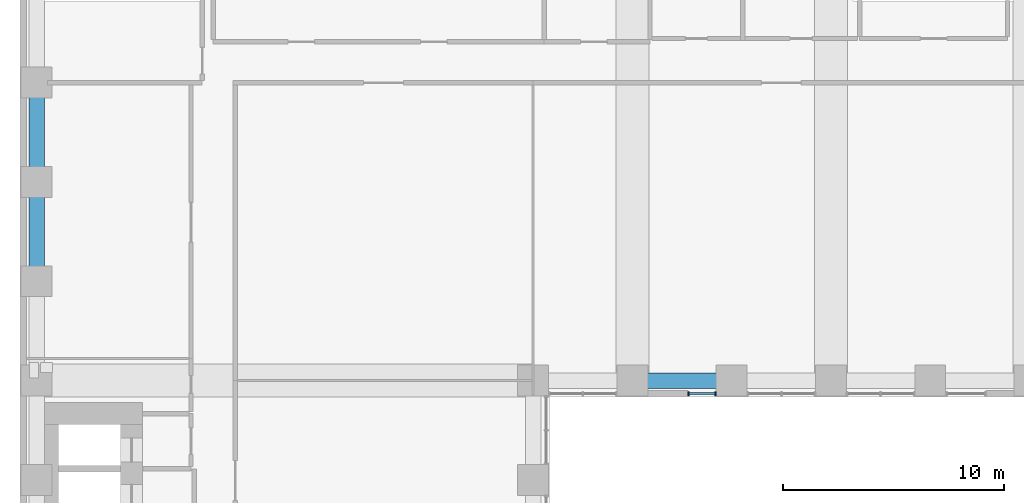
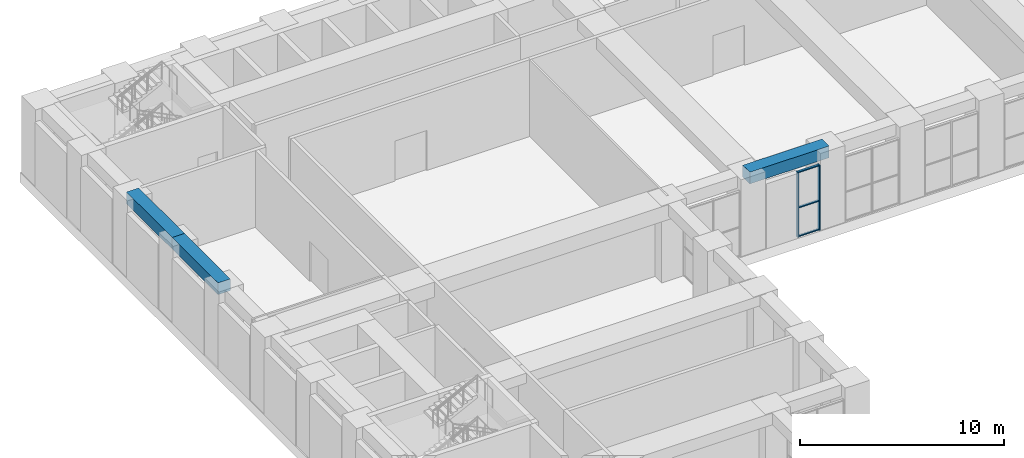
# One storey, part 4 of 30: 5 members, 3 beams, 1 element without a shape of its own.
"""IFC4 building model written with IfcOpenShell, lengths in metres."""

from ifc_helpers import new_model, si_unit, direction, frame, origin, origin_2d, place, context, subcontext, project, spatial, rectangle, extrude, material, material_profile, profile_set, type_object, element, aggregate, save


model = new_model("IFC4")

# Units and contexts
model_context = context("Model", 3, precision=1e-05, world=origin(), true_north=direction((0.0, 1.0)))
body_context = subcontext(model_context, "Body", "Model", "MODEL_VIEW")
ifc_project = project(units=[si_unit("LENGTHUNIT", "METRE"), si_unit("AREAUNIT", "SQUARE_METRE"), si_unit("VOLUMEUNIT", "CUBIC_METRE"), si_unit("PLANEANGLEUNIT", "RADIAN"), si_unit("MASSUNIT", "GRAM", prefix="KILO")], contexts=[model_context])

# Site, building, storey
site_placement = place(None, origin())
site = spatial("IfcSite", under=ifc_project, at=site_placement, CompositionType="ELEMENT")
building_placement = place(site_placement, origin())
building = spatial("IfcBuilding", under=site, at=building_placement, Name="Firuza Court", CompositionType="ELEMENT")
storey_placement = place(building_placement, frame((0.0, 0.0, 9.0)))
storey = spatial("IfcBuildingStorey", under=building, at=storey_placement, Name="L01", CompositionType="ELEMENT", Elevation=9.0)

# Curtain wall, members
ifc_material_1 = material(Name="Aluminium curtain wall, triple clear glazing", Category="aluminium")
curtain_wall_type = type_object("IfcCurtainWallType", Name="Podium unitised curtain wall CW1", PredefinedType="NOTDEFINED", material=ifc_material_1)
curtain_wall_placement = place(storey_placement, origin())
curtain_wall = element("IfcCurtainWall", 1, at=curtain_wall_placement, inside=storey, type_object=curtain_wall_type, Name="Podium unitised curtain wall CW1 L01", PredefinedType="NOTDEFINED")
ifc_material_2 = material(Name="Aluminium EN AW-6060 T66", Category="aluminium")
ifc_material_profile_1 = material_profile(ifc_material_2, rectangle(XDim=0.179931640625, YDim=0.06005859375, at=origin_2d()), Name="Mullion 180 x 60 CW1")
ifc_profile_set_1 = profile_set([ifc_material_profile_1], Name="Aluminium EN AW-6060 T66")
member_type_1 = type_object("IfcMemberType", Name="Mullion 180 x 60 CW1", PredefinedType="MULLION", material=ifc_profile_set_1)
member_1_placement = place(storey_placement, frame((29.547119140625, 35.39990234375, 0.0), z_axis=(0.0, 0.0, 1.0), x_axis=(0.0, 1.0, 0.0)))
member_1 = element("IfcMember", 2, at=member_1_placement, type_object=member_type_1, Name="CW1 mullion 1", PredefinedType="MULLION", context=body_context, shape_type="SweptSolid", body=[
    extrude(rectangle(XDim=0.179931640625, YDim=0.06005859375, at=origin_2d()), origin(), (0.0, 0.0, 1.0), 3.89990234375),
])
member_2_placement = place(storey_placement, frame((30.77001953125, 35.39990234375, 0.0), z_axis=(0.0, 0.0, 1.0), x_axis=(0.0, 1.0, 0.0)))
member_2 = element("IfcMember", 3, at=member_2_placement, type_object=member_type_1, Name="CW1 mullion 2", PredefinedType="MULLION", context=body_context, shape_type="SweptSolid", body=[
    extrude(rectangle(XDim=0.179931640625, YDim=0.06005859375, at=origin_2d()), origin(), (0.0, 0.0, 1.0), 3.89990234375),
])

# Beams
ifc_material_3 = material(Name="Concrete C40/50", Category="concrete")
ifc_material_profile_2 = material_profile(ifc_material_3, rectangle(XDim=0.699951171875, YDim=0.699951171875, at=origin_2d()), Name="RC 700x700")
ifc_profile_set_2 = profile_set([ifc_material_profile_2], Name="Concrete C40/50")
beam_type = type_object("IfcBeamType", Name="Spandrel beam RC 700x700 C40/50", PredefinedType="BEAM", material=ifc_profile_set_2)
for number, where, z_axis, x_axis, name in (
    (4, (0.0, 45.0, 4.25), (0.0, -1.0, 0.0), (1.0, 0.0, 0.0), "Spandrel beam SP8 level L02"),
    (5, (0.0, 49.5, 4.25), (0.0, -1.0, 0.0), (1.0, 0.0, 0.0), "Spandrel beam SP8 level L02"),
    (6, (27.0, 36.0, 4.25), (1.0, 0.0, 0.0), (0.0, 1.0, 0.0), "Spandrel beam SP8 level L02"),
):
    element("IfcBeam", number, at=place(storey_placement, frame(where, z_axis=z_axis, x_axis=x_axis)), inside=storey, type_object=beam_type, Name=name, PredefinedType="BEAM", context=body_context, shape_type="SweptSolid", body=[
        extrude(rectangle(XDim=0.699951171875, YDim=0.699951171875, at=origin_2d()), origin(), (0.0, 0.0, 1.0), 4.5),
    ])

# Member
ifc_material_4 = material(Name="Aluminium EN AW-6060 T66", Category="aluminium")
ifc_material_profile_3 = material_profile(ifc_material_4, rectangle(XDim=0.1201171875, YDim=0.06005859375, at=origin_2d()), Name="Transom 120 x 60 CW1")
ifc_profile_set_3 = profile_set([ifc_material_profile_3], Name="Aluminium EN AW-6060 T66")
member_type_2 = type_object("IfcMemberType", Name="Transom 120 x 60 CW1", PredefinedType="USERDEFINED", material=ifc_profile_set_3)
member_3_placement = place(storey_placement, frame((29.576904296875, 35.39990234375, 0.030029296875), z_axis=(1.0, 0.0, 0.0), x_axis=(0.0, 1.0, 0.0)))
member_3 = element("IfcMember", 7, at=member_3_placement, type_object=member_type_2, Name="CW1 transom 1.1", ObjectType="TRANSOM", PredefinedType="USERDEFINED", context=body_context, shape_type="SweptSolid", body=[
    extrude(rectangle(XDim=0.1201171875, YDim=0.06005859375, at=origin_2d()), origin(), (0.0, 0.0, 1.0), 1.1630859375),
])

member_4_placement = place(storey_placement, frame((29.576904296875, 35.39990234375, 1.7548828125), z_axis=(1.0, 0.0, 0.0), x_axis=(0.0, 1.0, 0.0)))
member_4 = element("IfcMember", 8, at=member_4_placement, type_object=member_type_2, Name="CW1 transom 1.2", ObjectType="TRANSOM", PredefinedType="USERDEFINED", context=body_context, shape_type="SweptSolid", body=[
    extrude(rectangle(XDim=0.1201171875, YDim=0.06005859375, at=origin_2d()), origin(), (0.0, 0.0, 1.0), 1.1630859375),
])

member_5_placement = place(storey_placement, frame((29.576904296875, 35.39990234375, 3.8701171875), z_axis=(1.0, 0.0, 0.0), x_axis=(0.0, 1.0, 0.0)))
member_5 = element("IfcMember", 9, at=member_5_placement, type_object=member_type_2, Name="CW1 transom 1.3", ObjectType="TRANSOM", PredefinedType="USERDEFINED", context=body_context, shape_type="SweptSolid", body=[
    extrude(rectangle(XDim=0.1201171875, YDim=0.06005859375, at=origin_2d()), origin(), (0.0, 0.0, 1.0), 1.1630859375),
])

aggregate(curtain_wall, [member_1, member_2, member_3, member_4, member_5])

save(model, "model.ifc")
